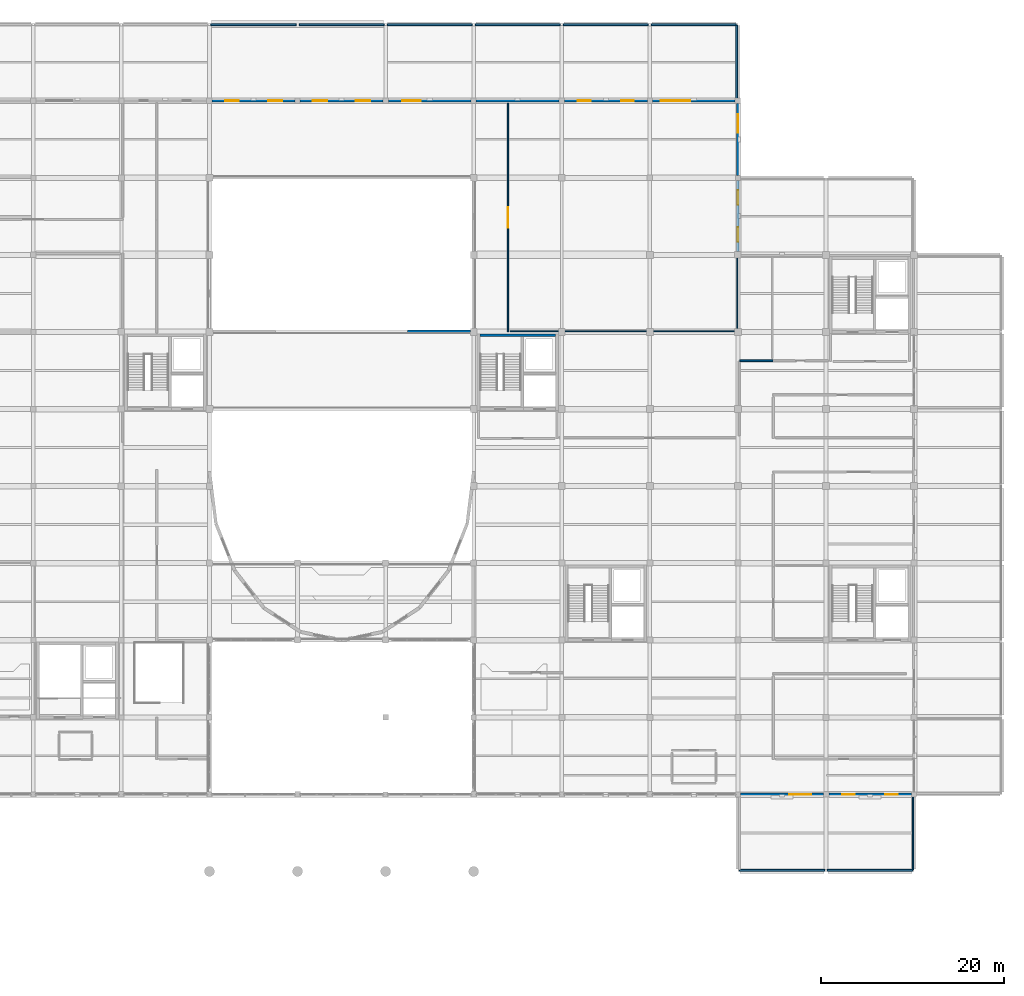
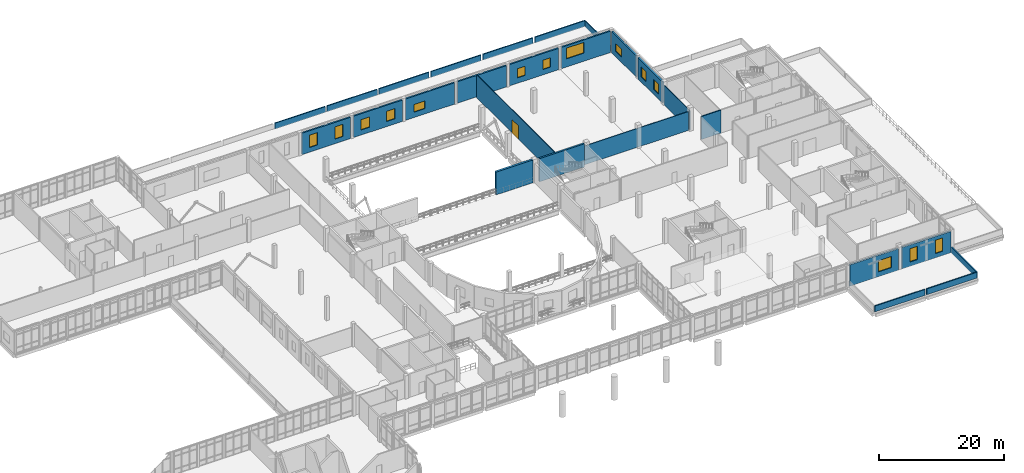
# One storey, part 78 of 88: 26 walls, 14 windows, 1 door, 15 openings.
"""IFC4 building model written with IfcOpenShell, lengths in metres."""

from ifc_helpers import new_model, si_unit, direction, frame, frame_2d, origin, place, context, subcontext, project, spatial, rectangle, extrude, material, layer, layer_set, type_object, element, fill, save


model = new_model("IFC4")

# Units and contexts
model_context = context("Model", 3, precision=1e-05, world=origin(), true_north=direction((0.0, 1.0)))
body_context = subcontext(model_context, "Body", "Model", "MODEL_VIEW")
ifc_project = project(units=[si_unit("LENGTHUNIT", "METRE"), si_unit("AREAUNIT", "SQUARE_METRE"), si_unit("VOLUMEUNIT", "CUBIC_METRE"), si_unit("PLANEANGLEUNIT", "RADIAN"), si_unit("MASSUNIT", "GRAM", prefix="KILO")], contexts=[model_context])

# Site, building, storey
site_placement = place(None, origin())
site = spatial("IfcSite", under=ifc_project, at=site_placement, CompositionType="ELEMENT")
building_placement = place(site_placement, origin())
building = spatial("IfcBuilding", under=site, at=building_placement, Name="Lornevale Opera House", CompositionType="ELEMENT")
storey_placement = place(building_placement, frame((0.0, 0.0, 10.199951171875)))
storey = spatial("IfcBuildingStorey", under=building, at=storey_placement, Name="L03", CompositionType="ELEMENT", Elevation=10.199951171875)

# Wall, openings, windows
ifc_material_1 = material(Name="Queenston Buff Limestone Ashlar Masonry (25 MPa)", Category="masonry")
ifc_layer_1 = layer(ifc_material_1, 0.324951171875)
ifc_layer_set_1 = layer_set([ifc_layer_1], Name="Queenston Buff Limestone Ashlar Masonry (25 MPa)")
wall_type_1 = type_object("IfcWallType", Name="Backstage Limestone Facade Wall 325", PredefinedType="SOLIDWALL", material=ifc_layer_set_1)
wall_1_placement = place(storey_placement, frame((124.800048828125, 83.72509765625, 0.0), z_axis=(0.0, 0.0, 1.0), x_axis=(0.0, -1.0, 0.0)))
wall_1 = element("IfcWall", 1, at=wall_1_placement, inside=storey, type_object=wall_type_1, Name="Backstage Limestone Facade Wall 325 WL-EXT-0238", PredefinedType="SOLIDWALL", context=body_context, shape_type="SweptSolid", body=[
    extrude(rectangle(XDim=7.775146484375, YDim=0.324951171875, at=frame_2d((3.8876953125, 0.0))), origin(), (0.0, 0.0, 1.0), 4.177978515625),
])
opening_1_placement = place(wall_1_placement, frame((1.06591796875, 0.0, 1.0)))
opening_1 = element("IfcOpeningElement", 2, at=opening_1_placement, cuts=wall_1, Name="Opening WN-T07", PredefinedType="OPENING", context=body_context, shape_type="SweptSolid", body=[
    extrude(rectangle(XDim=1.60009765625, YDim=2.0, at=frame_2d((0.800048828125, 1.0))), frame((0.0, 0.17236328125, 0.0), z_axis=(0.0, -1.0, 0.0), x_axis=(1.0, 0.0, 0.0)), (0.0, 0.0, 1.0), 0.344970703125),
])
opening_2_placement = place(wall_1_placement, frame((5.10888671875, 0.0, 1.0)))
opening_2 = element("IfcOpeningElement", 3, at=opening_2_placement, cuts=wall_1, Name="Opening WN-T07", PredefinedType="OPENING", context=body_context, shape_type="SweptSolid", body=[
    extrude(rectangle(XDim=1.60009765625, YDim=2.0, at=frame_2d((0.800048828125, 1.0))), frame((0.0, 0.17236328125, 0.0), z_axis=(0.0, -1.0, 0.0), x_axis=(1.0, 0.0, 0.0)), (0.0, 0.0, 1.0), 0.344970703125),
])
ifc_material_2 = material(Name="Triple Low-E Insulated Glazing", Category="glass")
ifc_layer_2 = layer(ifc_material_2, 0.06005859375)
ifc_layer_set_2 = layer_set([ifc_layer_2], Name="Triple Low-E Insulated Glazing")
window_type_1 = type_object("IfcWindowType", Name="Practice Studio Acoustic Window 1600x2000", PartitioningType="NOTDEFINED", PredefinedType="WINDOW", material=ifc_layer_set_2)
window_1_placement = place(opening_1_placement, origin())
window_1 = element("IfcWindow", 4, at=window_1_placement, inside=storey, type_object=window_type_1, Name="Practice Studio Acoustic Window 1600x2000 WN-0087", OverallHeight=2.0, OverallWidth=1.60009765625, PartitioningType="SINGLE_PANEL", PredefinedType="WINDOW", context=body_context, shape_type="SweptSolid", body=[
    extrude(rectangle(XDim=1.60009765625, YDim=2.0, at=frame_2d((0.800048828125, 1.0))), frame((0.0, 0.030029296875, 0.0), z_axis=(0.0, -1.0, 0.0), x_axis=(1.0, 0.0, 0.0)), (0.0, 0.0, 1.0), 0.06005859375),
])
fill(opening_1, window_1)
window_2_placement = place(opening_2_placement, origin())
window_2 = element("IfcWindow", 5, at=window_2_placement, inside=storey, type_object=window_type_1, Name="Practice Studio Acoustic Window 1600x2000 WN-0088", OverallHeight=2.0, OverallWidth=1.60009765625, PartitioningType="SINGLE_PANEL", PredefinedType="WINDOW", context=body_context, shape_type="SweptSolid", body=[
    extrude(rectangle(XDim=1.60009765625, YDim=2.0, at=frame_2d((0.800048828125, 1.0))), frame((0.0, 0.030029296875, 0.0), z_axis=(0.0, -1.0, 0.0), x_axis=(1.0, 0.0, 0.0)), (0.0, 0.0, 1.0), 0.06005859375),
])
fill(opening_2, window_2)

# Wall, opening, window
wall_2_placement = place(storey_placement, frame((134.10009765625, 16.800048828125, 0.0), z_axis=(0.0, 0.0, 1.0), x_axis=(-1.0, 0.0, 0.0)))
wall_2 = element("IfcWall", 6, at=wall_2_placement, inside=storey, type_object=wall_type_1, Name="Backstage Limestone Facade Wall 325 WL-EXT-0241", PredefinedType="SOLIDWALL", context=body_context, shape_type="SweptSolid", body=[
    extrude(rectangle(XDim=9.025146484375, YDim=0.324951171875, at=frame_2d((4.5126953125, 0.0))), origin(), (0.0, 0.0, 1.0), 4.177978515625),
])
opening_3_placement = place(wall_2_placement, frame((1.326904296875, 0.0, 0.949951171875)))
opening_3 = element("IfcOpeningElement", 7, at=opening_3_placement, cuts=wall_2, Name="Opening WN-T08", PredefinedType="OPENING", context=body_context, shape_type="SweptSolid", body=[
    extrude(rectangle(XDim=2.39990234375, YDim=2.199951171875, at=frame_2d((1.199951171875, 1.10009765625))), frame((0.0, 0.17236328125, 0.0), z_axis=(0.0, -1.0, 0.0), x_axis=(1.0, 0.0, 0.0)), (0.0, 0.0, 1.0), 0.344970703125),
])
ifc_layer_3 = layer(ifc_material_2, 0.06005859375)
ifc_layer_set_3 = layer_set([ifc_layer_3], Name="Triple Low-E Insulated Glazing")
window_type_2 = type_object("IfcWindowType", Name="Conservatory Window 2400x2200", PartitioningType="NOTDEFINED", PredefinedType="WINDOW", material=ifc_layer_set_3)
window_3_placement = place(opening_3_placement, origin())
window_3 = element("IfcWindow", 8, at=window_3_placement, inside=storey, type_object=window_type_2, Name="Conservatory Window 2400x2200 WN-0091", OverallHeight=2.199951171875, OverallWidth=2.39990234375, PartitioningType="SINGLE_PANEL", PredefinedType="WINDOW", context=body_context, shape_type="SweptSolid", body=[
    extrude(rectangle(XDim=2.39990234375, YDim=2.199951171875, at=frame_2d((1.199951171875, 1.10009765625))), frame((0.0, 0.030029296875, 0.0), z_axis=(0.0, -1.0, 0.0), x_axis=(1.0, 0.0, 0.0)), (0.0, 0.0, 1.0), 0.06005859375),
])
fill(opening_3, window_3)

# Wall, openings, windows
wall_3_placement = place(storey_placement, frame((143.72509765625, 16.800048828125, 0.0), z_axis=(0.0, 0.0, 1.0), x_axis=(-1.0, 0.0, 0.0)))
wall_3 = element("IfcWall", 9, at=wall_3_placement, inside=storey, type_object=wall_type_1, Name="Backstage Limestone Facade Wall 325 WL-EXT-0243", PredefinedType="SOLIDWALL", context=body_context, shape_type="SweptSolid", body=[
    extrude(rectangle(XDim=9.025146484375, YDim=0.324951171875, at=frame_2d((4.5126953125, 0.0))), origin(), (0.0, 0.0, 1.0), 4.177978515625),
])
opening_4_placement = place(wall_3_placement, frame((1.490966796875, 0.0, 0.85009765625)))
opening_4 = element("IfcOpeningElement", 10, at=opening_4_placement, cuts=wall_3, Name="Opening WN-T14", PredefinedType="OPENING", context=body_context, shape_type="SweptSolid", body=[
    extrude(rectangle(XDim=1.35009765625, YDim=2.60009765625, at=frame_2d((0.675048828125, 1.300048828125))), frame((0.0, 0.17236328125, 0.0), z_axis=(0.0, -1.0, 0.0), x_axis=(1.0, 0.0, 0.0)), (0.0, 0.0, 1.0), 0.344970703125),
])
opening_5_placement = place(wall_3_placement, frame((6.18408203125, 0.0, 0.85009765625)))
opening_5 = element("IfcOpeningElement", 11, at=opening_5_placement, cuts=wall_3, Name="Opening WN-T14", PredefinedType="OPENING", context=body_context, shape_type="SweptSolid", body=[
    extrude(rectangle(XDim=1.35009765625, YDim=2.60009765625, at=frame_2d((0.675048828125, 1.300048828125))), frame((0.0, 0.17236328125, 0.0), z_axis=(0.0, -1.0, 0.0), x_axis=(1.0, 0.0, 0.0)), (0.0, 0.0, 1.0), 0.344970703125),
])
ifc_layer_4 = layer(ifc_material_2, 0.06005859375)
ifc_layer_set_4 = layer_set([ifc_layer_4], Name="Triple Low-E Insulated Glazing")
window_type_3 = type_object("IfcWindowType", Name="Chamber Gallery Window 1350x2600", PartitioningType="NOTDEFINED", PredefinedType="WINDOW", material=ifc_layer_set_4)
window_4_placement = place(opening_4_placement, origin())
window_4 = element("IfcWindow", 12, at=window_4_placement, inside=storey, type_object=window_type_3, Name="Chamber Gallery Window 1350x2600 WN-0092", OverallHeight=2.60009765625, OverallWidth=1.35009765625, PartitioningType="SINGLE_PANEL", PredefinedType="WINDOW", context=body_context, shape_type="SweptSolid", body=[
    extrude(rectangle(XDim=1.35009765625, YDim=2.60009765625, at=frame_2d((0.675048828125, 1.300048828125))), frame((0.0, 0.030029296875, 0.0), z_axis=(0.0, -1.0, 0.0), x_axis=(1.0, 0.0, 0.0)), (0.0, 0.0, 1.0), 0.06005859375),
])
fill(opening_4, window_4)
window_5_placement = place(opening_5_placement, origin())
window_5 = element("IfcWindow", 13, at=window_5_placement, inside=storey, type_object=window_type_3, Name="Chamber Gallery Window 1350x2600 WN-0093", OverallHeight=2.60009765625, OverallWidth=1.35009765625, PartitioningType="SINGLE_PANEL", PredefinedType="WINDOW", context=body_context, shape_type="SweptSolid", body=[
    extrude(rectangle(XDim=1.35009765625, YDim=2.60009765625, at=frame_2d((0.675048828125, 1.300048828125))), frame((0.0, 0.030029296875, 0.0), z_axis=(0.0, -1.0, 0.0), x_axis=(1.0, 0.0, 0.0)), (0.0, 0.0, 1.0), 0.06005859375),
])
fill(opening_5, window_5)

# Wall
ifc_material_3 = material(Name="Concrete 40 MPa (CSA A23.1 C-1)", Category="concrete")
ifc_layer_5 = layer(ifc_material_3, 0.320068359375)
ifc_layer_set_5 = layer_set([ifc_layer_5], Name="Concrete 40 MPa (CSA A23.1 C-1)")
wall_type_2 = type_object("IfcWallType", Name="Core Shear Wall 320", PredefinedType="SHEAR", material=ifc_layer_set_5)
wall_4_placement = place(storey_placement, frame((104.93994140625, 66.840087890625, 0.0), z_axis=(0.0, 0.0, 1.0), x_axis=(-1.0, 0.0, 0.0)))
element("IfcWall", 14, at=wall_4_placement, inside=storey, type_object=wall_type_2, Name="Stagehouse Firefighter Core West Core Shear Wall 320 WL-COR-0227", PredefinedType="SHEAR", context=body_context, shape_type="SweptSolid", body=[
    extrude(rectangle(XDim=8.280029296875, YDim=0.320068359375, at=frame_2d((4.14013671875, 0.0))), origin(), (0.0, 0.0, 1.0), 4.5400390625),
])

# Wall, opening, door
ifc_material_4 = material(Name="Acoustic Mineral-Core Gypsum Partition", Category="gypsum")
ifc_layer_6 = layer(ifc_material_4, 0.125)
ifc_layer_set_6 = layer_set([ifc_layer_6], Name="Acoustic Mineral-Core Gypsum Partition")
wall_type_3 = type_object("IfcWallType", Name="Dressing Suite Partition 125", PredefinedType="PARTITIONING", material=ifc_layer_set_6)
wall_5_placement = place(storey_placement, frame((99.739990234375, 67.199951171875, 0.0), z_axis=(0.0, 0.0, 1.0), x_axis=(0.0, 1.0, 0.0)))
wall_5 = element("IfcWall", 15, at=wall_5_placement, inside=storey, type_object=wall_type_3, Name="L03 Partition WL-INT-0861", PredefinedType="PARTITIONING", context=body_context, shape_type="SweptSolid", body=[
    extrude(rectangle(XDim=24.949951171875, YDim=0.125, at=frame_2d((12.47509765625, 0.0))), origin(), (0.0, 0.0, 1.0), 4.47998046875),
])
opening_6_placement = place(wall_5_placement, frame((11.375, 0.0, 0.0)))
opening_6 = element("IfcOpeningElement", 16, at=opening_6_placement, cuts=wall_5, Name="Opening DR-T17", PredefinedType="OPENING", context=body_context, shape_type="SweptSolid", body=[
    extrude(rectangle(XDim=2.199951171875, YDim=2.60009765625, at=frame_2d((1.10009765625, 1.300048828125))), frame((0.0, 0.072509765625, 0.0), z_axis=(0.0, -1.0, 0.0), x_axis=(1.0, 0.0, 0.0)), (0.0, 0.0, 1.0), 0.14501953125),
])
ifc_material_5 = material(Name="Painted Hollow Metal Door Steel", Category="steel")
ifc_layer_7 = layer(ifc_material_5, 2.60009765625)
ifc_layer_set_7 = layer_set([ifc_layer_7], Name="Painted Hollow Metal Door Steel")
door_type = type_object("IfcDoorType", Name="Workshop Acoustic Pair 2200x2600", OperationType="NOTDEFINED", PredefinedType="DOOR", material=ifc_layer_set_7)
door_placement = place(opening_6_placement, origin())
door = element("IfcDoor", 17, at=door_placement, inside=storey, type_object=door_type, Name="Wig & Millinery Workshop Door", OperationType="DOUBLE_SWING_LEFT", OverallHeight=2.60009765625, OverallWidth=2.199951171875, PredefinedType="DOOR", context=body_context, shape_type="SweptSolid", body=[
    extrude(rectangle(XDim=2.199951171875, YDim=2.60009765625, at=frame_2d((1.10009765625, 1.300048828125))), frame((0.0, 0.02490234375, 0.0), z_axis=(0.0, -1.0, 0.0), x_axis=(1.0, 0.0, 0.0)), (0.0, 0.0, 1.0), 0.050048828125),
])
fill(opening_6, door)

# Walls
wall_6_placement = place(storey_placement, frame((124.739990234375, 67.199951171875, 0.0), z_axis=(0.0, 0.0, 1.0), x_axis=(0.0, 1.0, 0.0)))
element("IfcWall", 18, at=wall_6_placement, inside=storey, type_object=wall_type_3, Name="L03 Partition WL-INT-0862", PredefinedType="PARTITIONING", context=body_context, shape_type="SweptSolid", body=[
    extrude(rectangle(XDim=8.179931640625, YDim=0.125, at=frame_2d((4.08984375, 0.0))), origin(), (0.0, 0.0, 1.0), 3.80712890625),
])
wall_7_placement = place(storey_placement, frame((99.989990234375, 67.260009765625, 0.0), z_axis=(0.0, 0.0, 1.0), x_axis=(1.0, 0.0, 0.0)))
element("IfcWall", 19, at=wall_7_placement, inside=storey, type_object=wall_type_3, Name="L03 Partition WL-INT-0863", PredefinedType="PARTITIONING", context=body_context, shape_type="SweptSolid", body=[
    extrude(rectangle(XDim=24.5, YDim=0.125, at=frame_2d((12.25, 0.0))), origin(), (0.0, 0.0, 1.0), 3.678955078125),
])
ifc_material_6 = material(Name="Precast Concrete 40 MPa (CSA A23.1 C-1)", Category="concrete")
ifc_layer_8 = layer(ifc_material_6, 0.195068359375)
ifc_layer_set_8 = layer_set([ifc_layer_8], Name="Precast Concrete 40 MPa (CSA A23.1 C-1)")
wall_type_4 = type_object("IfcWallType", Name="Green Roof Parapet Wall 195", PredefinedType="PARAPET", material=ifc_layer_set_8)
wall_8_placement = place(storey_placement, frame((67.360107421875, 100.669921875, 0.0), z_axis=(0.0, 0.0, 1.0), x_axis=(1.0, 0.0, 0.0)))
element("IfcWall", 20, at=wall_8_placement, inside=storey, type_object=wall_type_4, Name="Green Roof Parapet Wall 195 0404", PredefinedType="PARAPET", context=body_context, shape_type="SweptSolid", body=[
    extrude(rectangle(XDim=9.27978515625, YDim=0.195068359375, at=frame_2d((4.639892578125, 0.0))), origin(), (0.0, 0.0, 1.0), 1.150146484375),
])
for number, where, z_axis, x_axis, name in (
    (21, (76.9599609375, 100.669921875, 0.0), (0.0, 0.0, 1.0), (1.0, 0.0, 0.0), "Green Roof Parapet Wall 195 0405"),
    (22, (86.56005859375, 100.669921875, 0.0), (0.0, 0.0, 1.0), (1.0, 0.0, 0.0), "Green Roof Parapet Wall 195 0406"),
    (23, (96.159912109375, 100.669921875, 0.0), (0.0, 0.0, 1.0), (1.0, 0.0, 0.0), "Green Roof Parapet Wall 195 0407"),
    (24, (105.760009765625, 100.669921875, 0.0), (0.0, 0.0, 1.0), (1.0, 0.0, 0.0), "Green Roof Parapet Wall 195 0408"),
):
    element("IfcWall", number, at=place(storey_placement, frame(where, z_axis=z_axis, x_axis=x_axis)), inside=storey, type_object=wall_type_4, Name=name, PredefinedType="PARAPET", context=body_context, shape_type="SweptSolid", body=[
        extrude(rectangle(XDim=9.280029296875, YDim=0.195068359375, at=frame_2d((4.64013671875, 0.0))), origin(), (0.0, 0.0, 1.0), 1.150146484375),
    ])
wall_9_placement = place(storey_placement, frame((115.360107421875, 100.669921875, 0.0), z_axis=(0.0, 0.0, 1.0), x_axis=(1.0, 0.0, 0.0)))
element("IfcWall", 25, at=wall_9_placement, inside=storey, type_object=wall_type_4, Name="Green Roof Parapet Wall 195 0409", PredefinedType="PARAPET", context=body_context, shape_type="SweptSolid", body=[
    extrude(rectangle(XDim=9.27978515625, YDim=0.195068359375, at=frame_2d((4.639892578125, 0.0))), origin(), (0.0, 0.0, 1.0), 1.150146484375),
])
for number, where, z_axis, x_axis, name in (
    (26, (124.669921875, 100.639892578125, 0.0), (0.0, 0.0, 1.0), (0.0, -1.0, 0.0), "Green Roof Parapet Wall 195 0410"),
    (27, (143.8701171875, 16.639892578125, 0.0), (0.0, 0.0, 1.0), (0.0, -1.0, 0.0), "Green Roof Parapet Wall 195 0413"),
):
    element("IfcWall", number, at=place(storey_placement, frame(where, z_axis=z_axis, x_axis=x_axis)), inside=storey, type_object=wall_type_4, Name=name, PredefinedType="PARAPET", context=body_context, shape_type="SweptSolid", body=[
        extrude(rectangle(XDim=8.079833984375, YDim=0.195068359375, at=frame_2d((4.0400390625, 0.0))), origin(), (0.0, 0.0, 1.0), 1.150146484375),
    ])
for number, where, z_axis, x_axis, name in (
    (28, (143.840087890625, 8.530029296875, 0.0), (0.0, 0.0, 1.0), (-1.0, 0.0, 0.0), "Green Roof Parapet Wall 195 0414"),
    (29, (134.239990234375, 8.530029296875, 0.0), (0.0, 0.0, 1.0), (-1.0, 0.0, 0.0), "Green Roof Parapet Wall 195 0415"),
):
    element("IfcWall", number, at=place(storey_placement, frame(where, z_axis=z_axis, x_axis=x_axis)), inside=storey, type_object=wall_type_4, Name=name, PredefinedType="PARAPET", context=body_context, shape_type="SweptSolid", body=[
        extrude(rectangle(XDim=9.280029296875, YDim=0.195068359375, at=frame_2d((4.64013671875, 0.0))), origin(), (0.0, 0.0, 1.0), 1.150146484375),
    ])
ifc_layer_9 = layer(ifc_material_4, 0.199951171875)
ifc_layer_set_9 = layer_set([ifc_layer_9], Name="Acoustic Mineral-Core Gypsum Partition")
wall_type_5 = type_object("IfcWallType", Name="Practice Studio Double-Stud Wall 200", PredefinedType="SOLIDWALL", material=ifc_layer_set_9)
wall_10_placement = place(storey_placement, frame((125.0, 64.06005859375, 0.0), z_axis=(0.0, 0.0, 1.0), x_axis=(1.0, 0.0, 0.0)))
element("IfcWall", 30, at=wall_10_placement, inside=storey, type_object=wall_type_5, Name="L03 Partition WL-INT-0845", PredefinedType="SOLIDWALL", context=body_context, shape_type="SweptSolid", body=[
    extrude(rectangle(XDim=3.60009765625, YDim=0.199951171875, at=frame_2d((1.800048828125, 0.0))), origin(), (0.0, 0.0, 1.0), 4.47998046875),
])
ifc_layer_10 = layer(ifc_material_3, 0.39990234375)
ifc_layer_set_10 = layer_set([ifc_layer_10], Name="Concrete 40 MPa (CSA A23.1 C-1)")
wall_type_6 = type_object("IfcWallType", Name="Proscenium Fire Wall 400", PredefinedType="SOLIDWALL", material=ifc_layer_set_10)
wall_11_placement = place(storey_placement, frame((88.800048828125, 67.199951171875, 0.0), z_axis=(0.0, 0.0, 1.0), x_axis=(1.0, 0.0, 0.0)))
element("IfcWall", 31, at=wall_11_placement, inside=storey, type_object=wall_type_6, Name="Proscenium Fire Wall L03 0371", PredefinedType="SOLIDWALL", context=body_context, shape_type="SweptSolid", body=[
    extrude(rectangle(XDim=6.849853515625, YDim=0.39990234375, at=frame_2d((3.4248046875, 0.0))), origin(), (0.0, 0.0, 1.0), 4.43994140625),
])

# Wall, openings, windows
ifc_layer_11 = layer(ifc_material_6, 0.2900390625)
ifc_layer_set_11 = layer_set([ifc_layer_11], Name="Precast Concrete 40 MPa (CSA A23.1 C-1)")
wall_type_7 = type_object("IfcWallType", Name="Workshop Insulated Precast Wall 290", PredefinedType="SOLIDWALL", material=ifc_layer_set_11)
wall_12_placement = place(storey_placement, frame((67.5, 92.39990234375, 0.0), z_axis=(0.0, 0.0, 1.0), x_axis=(1.0, 0.0, 0.0)))
wall_12 = element("IfcWall", 32, at=wall_12_placement, inside=storey, type_object=wall_type_7, Name="Workshop Insulated Precast Wall 290 WL-EXT-0233", PredefinedType="SOLIDWALL", context=body_context, shape_type="SweptSolid", body=[
    extrude(rectangle(XDim=9.02490234375, YDim=0.2900390625, at=frame_2d((4.512451171875, 0.0))), origin(), (0.0, 0.0, 1.0), 4.177978515625),
])
opening_7_placement = place(wall_12_placement, frame((1.416015625, 0.0, 0.89990234375)))
opening_7 = element("IfcOpeningElement", 33, at=opening_7_placement, cuts=wall_12, Name="Opening WN-T02", PredefinedType="OPENING", context=body_context, shape_type="SweptSolid", body=[
    extrude(rectangle(XDim=1.5, YDim=2.39990234375, at=frame_2d((0.75, 1.199951171875))), frame((0.0, 0.155029296875, 0.0), z_axis=(0.0, -1.0, 0.0), x_axis=(1.0, 0.0, 0.0)), (0.0, 0.0, 1.0), 0.31005859375),
])
opening_8_placement = place(wall_12_placement, frame((6.10888671875, 0.0, 0.89990234375)))
opening_8 = element("IfcOpeningElement", 34, at=opening_8_placement, cuts=wall_12, Name="Opening WN-T02", PredefinedType="OPENING", context=body_context, shape_type="SweptSolid", body=[
    extrude(rectangle(XDim=1.5, YDim=2.39990234375, at=frame_2d((0.75, 1.199951171875))), frame((0.0, 0.155029296875, 0.0), z_axis=(0.0, -1.0, 0.0), x_axis=(1.0, 0.0, 0.0)), (0.0, 0.0, 1.0), 0.31005859375),
])
ifc_layer_12 = layer(ifc_material_2, 0.06005859375)
ifc_layer_set_12 = layer_set([ifc_layer_12], Name="Triple Low-E Insulated Glazing")
window_type_4 = type_object("IfcWindowType", Name="Punched Deep-Reveal Window 1500x2400", PartitioningType="NOTDEFINED", PredefinedType="WINDOW", material=ifc_layer_set_12)
window_6_placement = place(opening_7_placement, origin())
window_6 = element("IfcWindow", 35, at=window_6_placement, inside=storey, type_object=window_type_4, Name="Punched Deep-Reveal Window 1500x2400 WN-0080", OverallHeight=2.39990234375, OverallWidth=1.5, PartitioningType="SINGLE_PANEL", PredefinedType="WINDOW", context=body_context, shape_type="SweptSolid", body=[
    extrude(rectangle(XDim=1.5, YDim=2.39990234375, at=frame_2d((0.75, 1.199951171875))), frame((0.0, 0.030029296875, 0.0), z_axis=(0.0, -1.0, 0.0), x_axis=(1.0, 0.0, 0.0)), (0.0, 0.0, 1.0), 0.06005859375),
])
fill(opening_7, window_6)
window_7_placement = place(opening_8_placement, origin())
window_7 = element("IfcWindow", 36, at=window_7_placement, inside=storey, type_object=window_type_4, Name="Punched Deep-Reveal Window 1500x2400 WN-0081", OverallHeight=2.39990234375, OverallWidth=1.5, PartitioningType="SINGLE_PANEL", PredefinedType="WINDOW", context=body_context, shape_type="SweptSolid", body=[
    extrude(rectangle(XDim=1.5, YDim=2.39990234375, at=frame_2d((0.75, 1.199951171875))), frame((0.0, 0.030029296875, 0.0), z_axis=(0.0, -1.0, 0.0), x_axis=(1.0, 0.0, 0.0)), (0.0, 0.0, 1.0), 0.06005859375),
])
fill(opening_8, window_7)

wall_13_placement = place(storey_placement, frame((77.074951171875, 92.39990234375, 0.0), z_axis=(0.0, 0.0, 1.0), x_axis=(1.0, 0.0, 0.0)))
wall_13 = element("IfcWall", 37, at=wall_13_placement, inside=storey, type_object=wall_type_7, Name="Workshop Insulated Precast Wall 290 WL-EXT-0234", PredefinedType="SOLIDWALL", context=body_context, shape_type="SweptSolid", body=[
    extrude(rectangle(XDim=9.025146484375, YDim=0.2900390625, at=frame_2d((4.5126953125, 0.0))), origin(), (0.0, 0.0, 1.0), 4.177978515625),
])
opening_9_placement = place(wall_13_placement, frame((1.365966796875, 0.0, 1.0)))
opening_9 = element("IfcOpeningElement", 38, at=opening_9_placement, cuts=wall_13, Name="Opening WN-T07", PredefinedType="OPENING", context=body_context, shape_type="SweptSolid", body=[
    extrude(rectangle(XDim=1.60009765625, YDim=2.0, at=frame_2d((0.800048828125, 1.0))), frame((0.0, 0.155029296875, 0.0), z_axis=(0.0, -1.0, 0.0), x_axis=(1.0, 0.0, 0.0)), (0.0, 0.0, 1.0), 0.31005859375),
])
opening_10_placement = place(wall_13_placement, frame((6.05908203125, 0.0, 1.0)))
opening_10 = element("IfcOpeningElement", 39, at=opening_10_placement, cuts=wall_13, Name="Opening WN-T07", PredefinedType="OPENING", context=body_context, shape_type="SweptSolid", body=[
    extrude(rectangle(XDim=1.60009765625, YDim=2.0, at=frame_2d((0.800048828125, 1.0))), frame((0.0, 0.155029296875, 0.0), z_axis=(0.0, -1.0, 0.0), x_axis=(1.0, 0.0, 0.0)), (0.0, 0.0, 1.0), 0.31005859375),
])
window_8_placement = place(opening_9_placement, origin())
window_8 = element("IfcWindow", 40, at=window_8_placement, inside=storey, type_object=window_type_1, Name="Practice Studio Acoustic Window 1600x2000 WN-0082", OverallHeight=2.0, OverallWidth=1.60009765625, PartitioningType="SINGLE_PANEL", PredefinedType="WINDOW", context=body_context, shape_type="SweptSolid", body=[
    extrude(rectangle(XDim=1.60009765625, YDim=2.0, at=frame_2d((0.800048828125, 1.0))), frame((0.0, 0.030029296875, 0.0), z_axis=(0.0, -1.0, 0.0), x_axis=(1.0, 0.0, 0.0)), (0.0, 0.0, 1.0), 0.06005859375),
])
fill(opening_9, window_8)
window_9_placement = place(opening_10_placement, origin())
window_9 = element("IfcWindow", 41, at=window_9_placement, inside=storey, type_object=window_type_1, Name="Practice Studio Acoustic Window 1600x2000 WN-0083", OverallHeight=2.0, OverallWidth=1.60009765625, PartitioningType="SINGLE_PANEL", PredefinedType="WINDOW", context=body_context, shape_type="SweptSolid", body=[
    extrude(rectangle(XDim=1.60009765625, YDim=2.0, at=frame_2d((0.800048828125, 1.0))), frame((0.0, 0.030029296875, 0.0), z_axis=(0.0, -1.0, 0.0), x_axis=(1.0, 0.0, 0.0)), (0.0, 0.0, 1.0), 0.06005859375),
])
fill(opening_10, window_9)

# Wall, opening, window
wall_14_placement = place(storey_placement, frame((86.699951171875, 92.39990234375, 0.0), z_axis=(0.0, 0.0, 1.0), x_axis=(1.0, 0.0, 0.0)))
wall_14 = element("IfcWall", 42, at=wall_14_placement, inside=storey, type_object=wall_type_7, Name="Workshop Insulated Precast Wall 290 WL-EXT-0235", PredefinedType="SOLIDWALL", context=body_context, shape_type="SweptSolid", body=[
    extrude(rectangle(XDim=9.025146484375, YDim=0.2900390625, at=frame_2d((4.5126953125, 0.0))), origin(), (0.0, 0.0, 1.0), 4.177978515625),
])
opening_11_placement = place(wall_14_placement, frame((1.527099609375, 0.0, 1.050048828125)))
opening_11 = element("IfcOpeningElement", 43, at=opening_11_placement, cuts=wall_14, Name="Opening WN-T11", PredefinedType="OPENING", context=body_context, shape_type="SweptSolid", body=[
    extrude(rectangle(XDim=2.0, YDim=1.5, at=frame_2d((1.0, 0.75))), frame((0.0, 0.155029296875, 0.0), z_axis=(0.0, -1.0, 0.0), x_axis=(1.0, 0.0, 0.0)), (0.0, 0.0, 1.0), 0.31005859375),
])
ifc_layer_13 = layer(ifc_material_2, 0.06005859375)
ifc_layer_set_13 = layer_set([ifc_layer_13], Name="Triple Low-E Insulated Glazing")
window_type_5 = type_object("IfcWindowType", Name="Workshop Operable Window 2000x1500", PartitioningType="NOTDEFINED", PredefinedType="WINDOW", material=ifc_layer_set_13)
window_10_placement = place(opening_11_placement, origin())
window_10 = element("IfcWindow", 44, at=window_10_placement, inside=storey, type_object=window_type_5, Name="Workshop Operable Window 2000x1500 WN-0084", OverallHeight=1.5, OverallWidth=2.0, PartitioningType="SINGLE_PANEL", PredefinedType="WINDOW", context=body_context, shape_type="SweptSolid", body=[
    extrude(rectangle(XDim=2.0, YDim=1.5, at=frame_2d((1.0, 0.75))), frame((0.0, 0.030029296875, 0.0), z_axis=(0.0, -1.0, 0.0), x_axis=(1.0, 0.0, 0.0)), (0.0, 0.0, 1.0), 0.06005859375),
])
fill(opening_11, window_10)

# Wall
wall_15_placement = place(storey_placement, frame((96.27490234375, 92.39990234375, 0.0), z_axis=(0.0, 0.0, 1.0), x_axis=(1.0, 0.0, 0.0)))
element("IfcWall", 45, at=wall_15_placement, inside=storey, type_object=wall_type_7, Name="Workshop Insulated Precast Wall 290 WL-EXT-0236", PredefinedType="SOLIDWALL", context=body_context, shape_type="SweptSolid", body=[
    extrude(rectangle(XDim=9.025146484375, YDim=0.2900390625, at=frame_2d((4.5126953125, 0.0))), origin(), (0.0, 0.0, 1.0), 4.177978515625),
])

# Wall, openings, windows
wall_16_placement = place(storey_placement, frame((105.89990234375, 92.39990234375, 0.0), z_axis=(0.0, 0.0, 1.0), x_axis=(1.0, 0.0, 0.0)))
wall_16 = element("IfcWall", 46, at=wall_16_placement, inside=storey, type_object=wall_type_7, Name="Workshop Insulated Precast Wall 290 WL-EXT-0237", PredefinedType="SOLIDWALL", context=body_context, shape_type="SweptSolid", body=[
    extrude(rectangle(XDim=9.025146484375, YDim=0.2900390625, at=frame_2d((4.5126953125, 0.0))), origin(), (0.0, 0.0, 1.0), 4.177978515625),
])
opening_12_placement = place(wall_16_placement, frame((1.466064453125, 0.0, 1.050048828125)))
opening_12 = element("IfcOpeningElement", 47, at=opening_12_placement, cuts=wall_16, Name="Opening WN-T05", PredefinedType="OPENING", context=body_context, shape_type="SweptSolid", body=[
    extrude(rectangle(XDim=1.39990234375, YDim=1.800048828125, at=frame_2d((0.699951171875, 0.89990234375))), frame((0.0, 0.155029296875, 0.0), z_axis=(0.0, -1.0, 0.0), x_axis=(1.0, 0.0, 0.0)), (0.0, 0.0, 1.0), 0.31005859375),
])
opening_13_placement = place(wall_16_placement, frame((6.158935546875, 0.0, 1.050048828125)))
opening_13 = element("IfcOpeningElement", 48, at=opening_13_placement, cuts=wall_16, Name="Opening WN-T05", PredefinedType="OPENING", context=body_context, shape_type="SweptSolid", body=[
    extrude(rectangle(XDim=1.39990234375, YDim=1.800048828125, at=frame_2d((0.699951171875, 0.89990234375))), frame((0.0, 0.155029296875, 0.0), z_axis=(0.0, -1.0, 0.0), x_axis=(1.0, 0.0, 0.0)), (0.0, 0.0, 1.0), 0.31005859375),
])
ifc_layer_14 = layer(ifc_material_2, 0.06005859375)
ifc_layer_set_14 = layer_set([ifc_layer_14], Name="Triple Low-E Insulated Glazing")
window_type_6 = type_object("IfcWindowType", Name="Dressing Suite Operable Window 1400x1800", PartitioningType="NOTDEFINED", PredefinedType="WINDOW", material=ifc_layer_set_14)
window_11_placement = place(opening_12_placement, origin())
window_11 = element("IfcWindow", 49, at=window_11_placement, inside=storey, type_object=window_type_6, Name="Dressing Suite Operable Window 1400x1800 WN-0085", OverallHeight=1.800048828125, OverallWidth=1.39990234375, PartitioningType="SINGLE_PANEL", PredefinedType="WINDOW", context=body_context, shape_type="SweptSolid", body=[
    extrude(rectangle(XDim=1.39990234375, YDim=1.800048828125, at=frame_2d((0.699951171875, 0.89990234375))), frame((0.0, 0.030029296875, 0.0), z_axis=(0.0, -1.0, 0.0), x_axis=(1.0, 0.0, 0.0)), (0.0, 0.0, 1.0), 0.06005859375),
])
fill(opening_12, window_11)
window_12_placement = place(opening_13_placement, origin())
window_12 = element("IfcWindow", 50, at=window_12_placement, inside=storey, type_object=window_type_6, Name="Dressing Suite Operable Window 1400x1800 WN-0086", OverallHeight=1.800048828125, OverallWidth=1.39990234375, PartitioningType="SINGLE_PANEL", PredefinedType="WINDOW", context=body_context, shape_type="SweptSolid", body=[
    extrude(rectangle(XDim=1.39990234375, YDim=1.800048828125, at=frame_2d((0.699951171875, 0.89990234375))), frame((0.0, 0.030029296875, 0.0), z_axis=(0.0, -1.0, 0.0), x_axis=(1.0, 0.0, 0.0)), (0.0, 0.0, 1.0), 0.06005859375),
])
fill(opening_13, window_12)

# Wall, opening, window
wall_17_placement = place(storey_placement, frame((115.47509765625, 92.39990234375, 0.0), z_axis=(0.0, 0.0, 1.0), x_axis=(1.0, 0.0, 0.0)))
wall_17 = element("IfcWall", 51, at=wall_17_placement, inside=storey, type_object=wall_type_7, Name="Workshop Insulated Precast Wall 290 WL-EXT-0239", PredefinedType="SOLIDWALL", context=body_context, shape_type="SweptSolid", body=[
    extrude(rectangle(XDim=9.02490234375, YDim=0.2900390625, at=frame_2d((4.512451171875, 0.0))), origin(), (0.0, 0.0, 1.0), 4.177978515625),
])
opening_14_placement = place(wall_17_placement, frame((0.927001953125, 0.0, 1.60009765625)))
opening_14 = element("IfcOpeningElement", 52, at=opening_14_placement, cuts=wall_17, Name="Opening WN-T10", PredefinedType="OPENING", context=body_context, shape_type="SweptSolid", body=[
    extrude(rectangle(XDim=3.199951171875, YDim=2.10009765625, at=frame_2d((1.60009765625, 1.050048828125))), frame((0.0, 0.155029296875, 0.0), z_axis=(0.0, -1.0, 0.0), x_axis=(1.0, 0.0, 0.0)), (0.0, 0.0, 1.0), 0.31005859375),
])
ifc_layer_15 = layer(ifc_material_2, 0.06005859375)
ifc_layer_set_15 = layer_set([ifc_layer_15], Name="Triple Low-E Insulated Glazing")
window_type_7 = type_object("IfcWindowType", Name="Workshop High-Bay Window 3200x2100", PartitioningType="NOTDEFINED", PredefinedType="WINDOW", material=ifc_layer_set_15)
window_13_placement = place(opening_14_placement, origin())
window_13 = element("IfcWindow", 53, at=window_13_placement, inside=storey, type_object=window_type_7, Name="Workshop High-Bay Window 3200x2100 WN-0089", OverallHeight=2.10009765625, OverallWidth=3.199951171875, PartitioningType="SINGLE_PANEL", PredefinedType="WINDOW", context=body_context, shape_type="SweptSolid", body=[
    extrude(rectangle(XDim=3.199951171875, YDim=2.10009765625, at=frame_2d((1.60009765625, 1.050048828125))), frame((0.0, 0.030029296875, 0.0), z_axis=(0.0, -1.0, 0.0), x_axis=(1.0, 0.0, 0.0)), (0.0, 0.0, 1.0), 0.06005859375),
])
fill(opening_14, window_13)

wall_18_placement = place(storey_placement, frame((124.800048828125, 92.10009765625, 0.0), z_axis=(0.0, 0.0, 1.0), x_axis=(0.0, -1.0, 0.0)))
wall_18 = element("IfcWall", 54, at=wall_18_placement, inside=storey, type_object=wall_type_7, Name="Workshop Insulated Precast Wall 290 WL-EXT-0240", PredefinedType="SOLIDWALL", context=body_context, shape_type="SweptSolid", body=[
    extrude(rectangle(XDim=7.8251953125, YDim=0.2900390625, at=frame_2d((3.91259765625, 0.0))), origin(), (0.0, 0.0, 1.0), 4.177978515625),
])
opening_15_placement = place(wall_18_placement, frame((1.19091796875, 0.0, 1.050048828125)))
opening_15 = element("IfcOpeningElement", 55, at=opening_15_placement, cuts=wall_18, Name="Opening WN-T11", PredefinedType="OPENING", context=body_context, shape_type="SweptSolid", body=[
    extrude(rectangle(XDim=2.0, YDim=1.5, at=frame_2d((1.0, 0.75))), frame((0.0, 0.155029296875, 0.0), z_axis=(0.0, -1.0, 0.0), x_axis=(1.0, 0.0, 0.0)), (0.0, 0.0, 1.0), 0.31005859375),
])
window_14_placement = place(opening_15_placement, origin())
window_14 = element("IfcWindow", 56, at=window_14_placement, inside=storey, type_object=window_type_5, Name="Workshop Operable Window 2000x1500 WN-0090", OverallHeight=1.5, OverallWidth=2.0, PartitioningType="SINGLE_PANEL", PredefinedType="WINDOW", context=body_context, shape_type="SweptSolid", body=[
    extrude(rectangle(XDim=2.0, YDim=1.5, at=frame_2d((1.0, 0.75))), frame((0.0, 0.030029296875, 0.0), z_axis=(0.0, -1.0, 0.0), x_axis=(1.0, 0.0, 0.0)), (0.0, 0.0, 1.0), 0.06005859375),
])
fill(opening_15, window_14)

save(model, "model.ifc")
